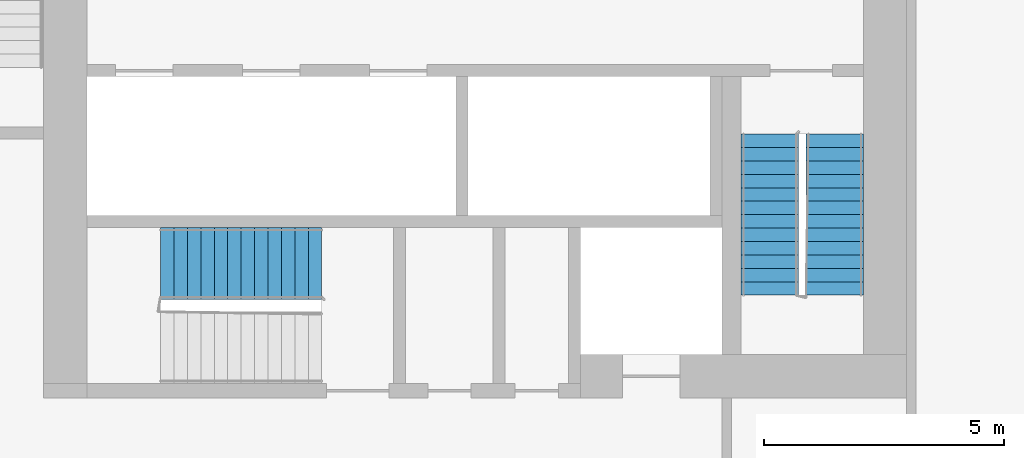
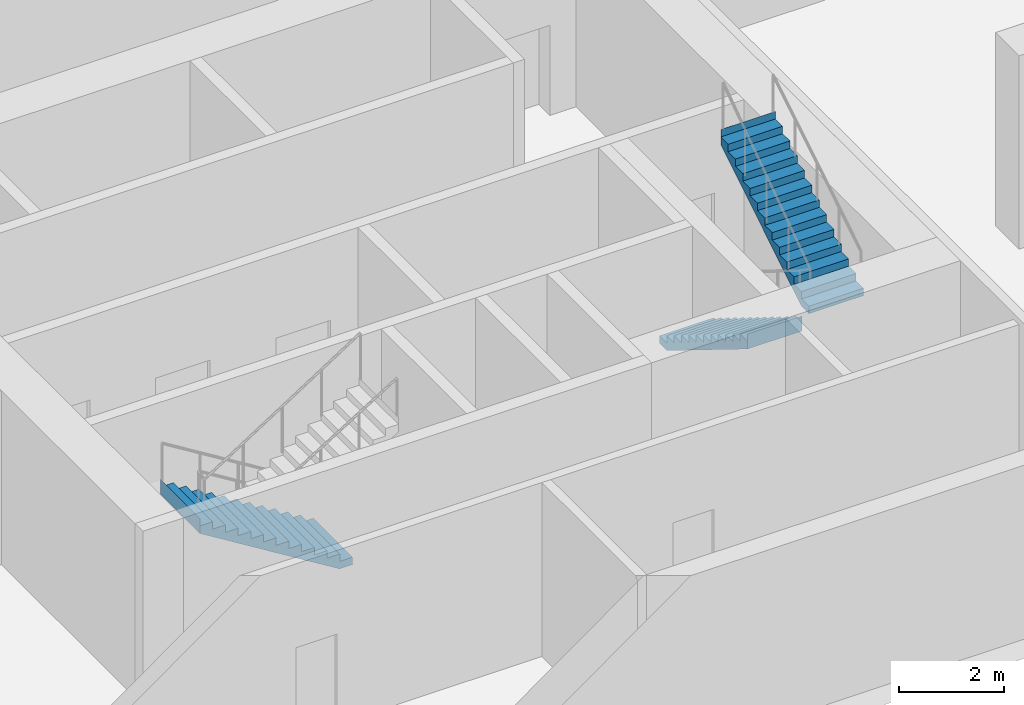
# One storey, part 9 of 15: 3 stair flights, 2 elements without a shape of their own.
"""IFC4 building model written with IfcOpenShell, lengths in metres."""

import ifcopenshell
import ifcopenshell.guid

model = None  # the IFC model being written
_history = None  # IfcOwnerHistory: only IFC2X3 demands one
_inside = {}  # id of a spatial element -> (the spatial element, [elements in it])
_under = {}  # id of a project, library or spatial element -> (it, [spatial elements below it])
_declared = {}  # id of a project -> (the project, [libraries it declares])
_typed = {}  # id of a type object -> (the type object, [elements of that type])
_made_of = {}  # id of a material, layer set ... -> (it, [elements and type objects made of it])


def new_model(schema):
    """Start an empty IFC model of exactly this schema.

    Asked for "IFC4X3", IfcOpenShell would pick the latest addendum, in which some entities
    have other attributes; the version numbers below select the first issue.
    IFC2X3 requires an IfcOwnerHistory on every rooted entity: one is made here for all.
    """
    global model, _history
    if schema == "IFC4X3":
        model = ifcopenshell.file(schema_version=(4, 3, 0, 0))
    else:
        model = ifcopenshell.file(schema=schema)
    _inside.clear()
    _under.clear()
    _declared.clear()
    _typed.clear()
    _made_of.clear()
    _history = None
    if model.schema == "IFC2X3":
        org = make("IfcOrganization", Name="unknown")
        user = make(
            "IfcPersonAndOrganization",
            ThePerson=make("IfcPerson", FamilyName="unknown"),
            TheOrganization=org,
        )
        app = make(
            "IfcApplication",
            ApplicationDeveloper=org,
            Version="unknown",
            ApplicationFullName="unknown",
            ApplicationIdentifier="unknown",
        )
        _history = make(
            "IfcOwnerHistory",
            OwningUser=user,
            OwningApplication=app,
            ChangeAction="ADDED",
            CreationDate=0,
        )
    return model


def make(cls, **values):
    """One entity of the class cls with the attributes given. An attribute that is None is left unset."""
    return model.create_entity(
        cls, **{name: value for name, value in values.items() if value is not None}
    )


def rooted(cls, **values):
    """An entity with a GlobalId (a new one), such as an element, a storey or a relation."""
    return make(cls, GlobalId=ifcopenshell.guid.new(), OwnerHistory=_history, **values)


def si_unit(unit_type, name, prefix=None):
    """IfcSIUnit, for example si_unit("LENGTHUNIT", "METRE", prefix="MILLI")."""
    return make("IfcSIUnit", UnitType=unit_type, Prefix=prefix, Name=name)


def assignment(units):
    """IfcUnitAssignment: the units of a project."""
    return None if units is None else make("IfcUnitAssignment", Units=units)


def point(xyz):
    """IfcCartesianPoint."""
    return None if xyz is None else make("IfcCartesianPoint", Coordinates=xyz)


def direction(xyz):
    """IfcDirection."""
    return None if xyz is None else make("IfcDirection", DirectionRatios=xyz)


def frame(location, z_axis=None, x_axis=None):
    """IfcAxis2Placement3D, a coordinate frame: its origin and axes. An axis left out is left unset."""
    return make(
        "IfcAxis2Placement3D",
        Location=point(location),
        Axis=direction(z_axis),
        RefDirection=direction(x_axis),
    )


def origin():
    """The frame at (0, 0, 0) with its axes left unset."""
    return frame((0.0, 0.0, 0.0))


def place(relative_to, where):
    """IfcLocalPlacement: puts the frame where relative to a parent placement (None: the world)."""
    return make(
        "IfcLocalPlacement", PlacementRelTo=relative_to, RelativePlacement=where
    )


def context(
    kind, dimensions, precision=None, world=None, true_north=None, identifier=None
):
    """IfcGeometricRepresentationContext, for example the 3D "Model" context."""
    return make(
        "IfcGeometricRepresentationContext",
        ContextIdentifier=identifier,
        ContextType=kind,
        CoordinateSpaceDimension=dimensions,
        Precision=precision,
        WorldCoordinateSystem=world,
        TrueNorth=true_north,
    )


def subcontext(parent, identifier, kind, view, scale=None):
    """IfcGeometricRepresentationSubContext, for example "Body" below "Model"."""
    return make(
        "IfcGeometricRepresentationSubContext",
        ContextIdentifier=identifier,
        ContextType=kind,
        ParentContext=parent,
        TargetScale=scale,
        TargetView=view,
    )


def project(units=None, contexts=None):
    """IfcProject with its units and contexts."""
    return rooted(
        "IfcProject",
        Name="project",
        RepresentationContexts=contexts,
        UnitsInContext=assignment(units),
    )


def spatial(cls, under=None, at=None, **own):
    """A site, building, storey or space (cls), placed at a placement, below another one or the project."""
    s = rooted(cls, ObjectPlacement=at, **own)
    if under is not None:
        _under.setdefault(under.id(), (under, []))[1].append(s)
    return s


def faces_of(points, faces, orient=None, outer=None):
    """IfcFace entities. A face is a list of loops; a loop is a list of indices into points, from 0.

    orient and outer hold one flag for each loop. By default every Orientation is true, the
    first loop of a face is its IfcFaceOuterBound and the others are IfcFaceBound.
    """
    made = []
    for i, loops in enumerate(faces):
        bounds = []
        for j, loop in enumerate(loops):
            is_outer = j == 0 if outer is None else outer[i][j]
            bounds.append(
                make(
                    "IfcFaceOuterBound" if is_outer else "IfcFaceBound",
                    Bound=make("IfcPolyLoop", Polygon=[points[k] for k in loop]),
                    Orientation=True if orient is None else orient[i][j],
                )
            )
        made.append(make("IfcFace", Bounds=bounds))
    return made


def faceted_brep(points, faces, orient=None, outer=None, voids=None):
    """IfcFacetedBrep: a solid bounded by flat faces; with voids (closed shells), ...WithVoids."""
    shared = [point(p) for p in points]
    hull = make("IfcClosedShell", CfsFaces=faces_of(shared, faces, orient, outer))
    if voids is None:
        return make("IfcFacetedBrep", Outer=hull)
    return make(
        "IfcFacetedBrepWithVoids",
        Outer=hull,
        Voids=[
            make(cls, CfsFaces=faces_of(shared, fs, o, b)) for cls, fs, o, b in voids
        ],
    )


def shape(context_of_items, identifier, shape_type, items):
    """IfcShapeRepresentation: the items that make up one representation, for example the "Body"."""
    return make(
        "IfcShapeRepresentation",
        ContextOfItems=context_of_items,
        RepresentationIdentifier=identifier,
        RepresentationType=shape_type,
        Items=items,
    )


def material(Name=None, Category=None):
    """IfcMaterial."""
    return make("IfcMaterial", Name=Name, Category=Category)


def made_of(thing, what):
    """Note that an element or type object is made of a material, layer set ...; save() writes the relation."""
    if what is not None:
        _made_of.setdefault(what.id(), (what, []))[1].append(thing)
    return thing


def type_object(cls, material=None, **own):
    """A type object (cls), such as IfcWallType, which elements share."""
    return made_of(rooted(cls, **own), material)


def element(
    cls,
    number,
    at=None,
    inside=None,
    cuts=None,
    type_object=None,
    material=None,
    context=None,
    identifier="Body",
    shape_type=None,
    held_by="IfcProductDefinitionShape",
    body=None,
    shapes=None,
    **own,
):
    """One element of the class cls, such as IfcWall. Its Tag is "e" and its number.

    at: its placement. inside: the storey or other place that contains it. cuts: it is an
    opening in that element (IfcRelVoidsElement). A single representation is given by context,
    identifier, shape_type and body (its items); several are given by shapes. held_by: the class
    of the entity that holds the representations. save() writes the other relations.
    """
    e = rooted(cls, Tag="e%d" % number, ObjectPlacement=at, **own)
    if body is not None:
        shapes = [shape(context, identifier, shape_type, body)]
    if shapes is not None:
        e.Representation = make(held_by, Representations=shapes)
    if inside is not None:
        _inside.setdefault(inside.id(), (inside, []))[1].append(e)
    if cuts is not None:
        rooted(
            "IfcRelVoidsElement", RelatingBuildingElement=cuts, RelatedOpeningElement=e
        )
    if type_object is not None:
        _typed.setdefault(type_object.id(), (type_object, []))[1].append(e)
    return made_of(e, material)


def aggregate(whole, parts):
    """IfcRelAggregates: a whole, such as a stair, and the parts it consists of."""
    return rooted("IfcRelAggregates", RelatingObject=whole, RelatedObjects=parts)


def save(model, path):
    """Write the relations noted so far, then the file.

    IfcRelAggregates (storeys below a building ...), IfcRelContainedInSpatialStructure (elements
    in a storey), IfcRelDefinesByType, IfcRelAssociatesMaterial and IfcRelDeclares: one each for
    every whole, place, type object, material and project.
    """
    for whole, parts in _under.values():
        aggregate(whole, parts)
    for where, things in _inside.values():
        rooted(
            "IfcRelContainedInSpatialStructure",
            RelatedElements=things,
            RelatingStructure=where,
        )
    for kind, things in _typed.values():
        rooted("IfcRelDefinesByType", RelatedObjects=things, RelatingType=kind)
    for what, things in _made_of.values():
        rooted("IfcRelAssociatesMaterial", RelatedObjects=things, RelatingMaterial=what)
    for by, libraries in _declared.values():
        rooted("IfcRelDeclares", RelatingContext=by, RelatedDefinitions=libraries)
    model.write(path)


model = new_model("IFC4")

# Units and contexts
model_context = context("Model", 3, precision=1e-05, world=origin(), true_north=direction((0.0, 1.0)))
body_context = subcontext(model_context, "Body", "Model", "MODEL_VIEW")
ifc_project = project(units=[si_unit("LENGTHUNIT", "METRE"), si_unit("AREAUNIT", "SQUARE_METRE"), si_unit("VOLUMEUNIT", "CUBIC_METRE"), si_unit("PLANEANGLEUNIT", "RADIAN"), si_unit("MASSUNIT", "GRAM", prefix="KILO")], contexts=[model_context])

# Site, building, storey
site_placement = place(None, origin())
site = spatial("IfcSite", under=ifc_project, at=site_placement, CompositionType="ELEMENT")
building_placement = place(site_placement, origin())
building = spatial("IfcBuilding", under=site, at=building_placement, Name="Kajstack Hotel Tower", CompositionType="ELEMENT")
storey_placement = place(building_placement, frame((0.0, 0.0, 29.0)))
storey = spatial("IfcBuildingStorey", under=building, at=storey_placement, Name="L04", CompositionType="ELEMENT", Elevation=29.0)

# Stair, stair flights
ifc_material = material(Name="Concrete C40/50", Category="concrete")
stair_type_1 = type_object("IfcStairType", Name="Exit stair 1200", PredefinedType="HALF_TURN_STAIR", material=ifc_material)
stair_1_placement = place(storey_placement, origin())
stair_1 = element("IfcStair", 1, at=stair_1_placement, inside=storey, type_object=stair_type_1, Name="L04 stair W2", PredefinedType="HALF_TURN_STAIR")
stair_flight_type_1 = type_object("IfcStairFlightType", Name="Exit stair flight 1200", PredefinedType="STRAIGHT", material=ifc_material)
stair_flight_1_placement = place(storey_placement, frame((-16.35009765625, -10.0, 0.0), z_axis=(0.0, 0.0, 1.0), x_axis=(0.0, -1.0, 0.0)))
stair_flight_1 = element("IfcStairFlight", 2, at=stair_flight_1_placement, type_object=stair_flight_type_1, Name="W2 flight 1", NumberOfRisers=13, NumberOfTreads=12, PredefinedType="STRAIGHT", RiserHeight=0.173076923, TreadLength=0.28, context=body_context, shape_type="Brep", body=[
    faceted_brep([(0.28564453125, -0.60009765625, 0.0), (3.360595703125, -0.60009765625, 1.900634765625), (3.360595703125, -0.60009765625, 2.25), (3.360107421875, -0.60009765625, 2.25), (3.360107421875, -0.60009765625, 2.076904296875), (3.080078125, -0.60009765625, 2.076904296875), (3.080078125, -0.60009765625, 1.90380859375), (2.800048828125, -0.60009765625, 1.90380859375), (2.800048828125, -0.60009765625, 1.730712890625), (2.52001953125, -0.60009765625, 1.730712890625), (2.52001953125, -0.60009765625, 1.5576171875), (2.239990234375, -0.60009765625, 1.5576171875), (2.239990234375, -0.60009765625, 1.384521484375), (1.9599609375, -0.60009765625, 1.384521484375), (1.9599609375, -0.60009765625, 1.21142578125), (1.679931640625, -0.60009765625, 1.21142578125), (1.679931640625, -0.60009765625, 1.03857421875), (1.39990234375, -0.60009765625, 1.03857421875), (1.39990234375, -0.60009765625, 0.865478515625), (1.1201171875, -0.60009765625, 0.865478515625), (1.1201171875, -0.60009765625, 0.6923828125), (0.840087890625, -0.60009765625, 0.6923828125), (0.840087890625, -0.60009765625, 0.519287109375), (0.56005859375, -0.60009765625, 0.519287109375), (0.56005859375, -0.60009765625, 0.34619140625), (0.280029296875, -0.60009765625, 0.34619140625), (0.280029296875, -0.60009765625, 0.173095703125), (-0.00048828125, -0.60009765625, 0.173095703125), (-0.00048828125, -0.60009765625, 0.0), (-0.00048828125, 0.60009765625, 0.0), (-0.00048828125, 0.60009765625, 0.173095703125), (0.280029296875, 0.60009765625, 0.173095703125), (0.280029296875, 0.60009765625, 0.34619140625), (0.56005859375, 0.60009765625, 0.34619140625), (0.56005859375, 0.60009765625, 0.519287109375), (0.840087890625, 0.60009765625, 0.519287109375), (0.840087890625, 0.60009765625, 0.6923828125), (1.1201171875, 0.60009765625, 0.6923828125), (1.1201171875, 0.60009765625, 0.865478515625), (1.39990234375, 0.60009765625, 0.865478515625), (1.39990234375, 0.60009765625, 1.03857421875), (1.679931640625, 0.60009765625, 1.03857421875), (1.679931640625, 0.60009765625, 1.21142578125), (1.9599609375, 0.60009765625, 1.21142578125), (1.9599609375, 0.60009765625, 1.384521484375), (2.239990234375, 0.60009765625, 1.384521484375), (2.239990234375, 0.60009765625, 1.5576171875), (2.52001953125, 0.60009765625, 1.5576171875), (2.52001953125, 0.60009765625, 1.730712890625), (2.800048828125, 0.60009765625, 1.730712890625), (2.800048828125, 0.60009765625, 1.90380859375), (3.080078125, 0.60009765625, 1.90380859375), (3.080078125, 0.60009765625, 2.076904296875), (3.360107421875, 0.60009765625, 2.076904296875), (3.360107421875, 0.60009765625, 2.25), (3.360595703125, 0.60009765625, 2.25), (3.360595703125, 0.60009765625, 1.900634765625), (0.28564453125, 0.60009765625, 0.0), (-0.00048828125, -0.300048828125, 0.173095703125), (-0.00048828125, 0.0, 0.173095703125), (-0.00048828125, 0.300048828125, 0.173095703125), (-0.00048828125, 0.300048828125, 0.0), (-0.00048828125, 0.0, 0.0), (-0.00048828125, -0.300048828125, 0.0), (0.280029296875, -0.300048828125, 0.173095703125), (0.280029296875, 0.0, 0.173095703125), (0.280029296875, 0.300048828125, 0.173095703125), (0.280029296875, -0.300048828125, 0.34619140625), (0.280029296875, 0.0, 0.34619140625), (0.280029296875, 0.300048828125, 0.34619140625), (0.56005859375, -0.300048828125, 0.34619140625), (0.56005859375, 0.0, 0.34619140625), (0.56005859375, 0.300048828125, 0.34619140625), (0.56005859375, -0.300048828125, 0.519287109375), (0.56005859375, 0.0, 0.519287109375), (0.56005859375, 0.300048828125, 0.519287109375), (0.840087890625, -0.300048828125, 0.519287109375), (0.840087890625, 0.0, 0.519287109375), (0.840087890625, 0.300048828125, 0.519287109375), (0.840087890625, -0.300048828125, 0.6923828125), (0.840087890625, 0.0, 0.6923828125), (0.840087890625, 0.300048828125, 0.6923828125), (1.1201171875, -0.300048828125, 0.6923828125), (1.1201171875, 0.0, 0.6923828125), (1.1201171875, 0.300048828125, 0.6923828125), (1.1201171875, -0.300048828125, 0.865478515625), (1.1201171875, 0.0, 0.865478515625), (1.1201171875, 0.300048828125, 0.865478515625), (1.39990234375, -0.300048828125, 0.865478515625), (1.39990234375, 0.0, 0.865478515625), (1.39990234375, 0.300048828125, 0.865478515625), (1.39990234375, -0.300048828125, 1.03857421875), (1.39990234375, 0.0, 1.03857421875), (1.39990234375, 0.300048828125, 1.03857421875), (1.679931640625, -0.300048828125, 1.03857421875), (1.679931640625, 0.0, 1.03857421875), (1.679931640625, 0.300048828125, 1.03857421875), (1.679931640625, -0.300048828125, 1.21142578125), (1.679931640625, 0.0, 1.21142578125), (1.679931640625, 0.300048828125, 1.21142578125), (1.9599609375, -0.300048828125, 1.21142578125), (1.9599609375, 0.0, 1.21142578125), (1.9599609375, 0.300048828125, 1.21142578125), (1.9599609375, -0.300048828125, 1.384521484375), (1.9599609375, 0.0, 1.384521484375), (1.9599609375, 0.300048828125, 1.384521484375), (2.239990234375, -0.300048828125, 1.384521484375), (2.239990234375, 0.0, 1.384521484375), (2.239990234375, 0.300048828125, 1.384521484375), (2.239990234375, -0.300048828125, 1.5576171875), (2.239990234375, 0.0, 1.5576171875), (2.239990234375, 0.300048828125, 1.5576171875), (2.52001953125, -0.300048828125, 1.5576171875), (2.52001953125, 0.0, 1.5576171875), (2.52001953125, 0.300048828125, 1.5576171875), (2.52001953125, -0.300048828125, 1.730712890625), (2.52001953125, 0.0, 1.730712890625), (2.52001953125, 0.300048828125, 1.730712890625), (2.800048828125, -0.300048828125, 1.730712890625), (2.800048828125, 0.0, 1.730712890625), (2.800048828125, 0.300048828125, 1.730712890625), (2.800048828125, -0.300048828125, 1.90380859375), (2.800048828125, 0.0, 1.90380859375), (2.800048828125, 0.300048828125, 1.90380859375), (3.080078125, -0.300048828125, 1.90380859375), (3.080078125, 0.0, 1.90380859375), (3.080078125, 0.300048828125, 1.90380859375), (3.080078125, -0.300048828125, 2.076904296875), (3.080078125, 0.0, 2.076904296875), (3.080078125, 0.300048828125, 2.076904296875), (3.360107421875, -0.300048828125, 2.076904296875), (3.360107421875, 0.0, 2.076904296875), (3.360107421875, 0.300048828125, 2.076904296875), (3.360107421875, -0.300048828125, 2.25), (3.360107421875, 0.0, 2.25), (3.360107421875, 0.300048828125, 2.25), (3.360595703125, -0.300048828125, 2.25), (3.360595703125, 0.0, 2.25), (3.360595703125, 0.300048828125, 2.25), (3.360595703125, -0.300048828125, 1.900634765625), (3.360595703125, 0.0, 1.900634765625), (3.360595703125, 0.300048828125, 1.900634765625), (0.28564453125, -0.300048828125, 0.0), (0.28564453125, 0.0, 0.0), (0.28564453125, 0.300048828125, 0.0)], [[[0, 1, 2, 3, 4, 5, 6, 7, 8, 9, 10, 11, 12, 13, 14, 15, 16, 17, 18, 19, 20, 21, 22, 23, 24, 25, 26, 27, 28]], [[29, 30, 31, 32, 33, 34, 35, 36, 37, 38, 39, 40, 41, 42, 43, 44, 45, 46, 47, 48, 49, 50, 51, 52, 53, 54, 55, 56, 57]], [[27, 58, 59, 60, 30, 29, 61, 62, 63, 28]], [[26, 64, 65, 66, 31, 30, 60, 59, 58, 27]], [[25, 67, 68, 69, 32, 31, 66, 65, 64, 26]], [[24, 70, 71, 72, 33, 32, 69, 68, 67, 25]], [[23, 73, 74, 75, 34, 33, 72, 71, 70, 24]], [[22, 76, 77, 78, 35, 34, 75, 74, 73, 23]], [[21, 79, 80, 81, 36, 35, 78, 77, 76, 22]], [[20, 82, 83, 84, 37, 36, 81, 80, 79, 21]], [[19, 85, 86, 87, 38, 37, 84, 83, 82, 20]], [[18, 88, 89, 90, 39, 38, 87, 86, 85, 19]], [[17, 91, 92, 93, 40, 39, 90, 89, 88, 18]], [[16, 94, 95, 96, 41, 40, 93, 92, 91, 17]], [[15, 97, 98, 99, 42, 41, 96, 95, 94, 16]], [[14, 100, 101, 102, 43, 42, 99, 98, 97, 15]], [[13, 103, 104, 105, 44, 43, 102, 101, 100, 14]], [[12, 106, 107, 108, 45, 44, 105, 104, 103, 13]], [[11, 109, 110, 111, 46, 45, 108, 107, 106, 12]], [[10, 112, 113, 114, 47, 46, 111, 110, 109, 11]], [[9, 115, 116, 117, 48, 47, 114, 113, 112, 10]], [[8, 118, 119, 120, 49, 48, 117, 116, 115, 9]], [[7, 121, 122, 123, 50, 49, 120, 119, 118, 8]], [[6, 124, 125, 126, 51, 50, 123, 122, 121, 7]], [[5, 127, 128, 129, 52, 51, 126, 125, 124, 6]], [[4, 130, 131, 132, 53, 52, 129, 128, 127, 5]], [[3, 133, 134, 135, 54, 53, 132, 131, 130, 4]], [[2, 136, 137, 138, 55, 54, 135, 134, 133, 3]], [[1, 139, 140, 141, 56, 55, 138, 137, 136, 2]], [[0, 142, 143, 144, 57, 56, 141, 140, 139, 1]], [[28, 63, 62, 61, 29, 57, 144, 143, 142, 0]]]),
])
stair_flight_2_placement = place(storey_placement, frame((-15.0, -13.360107421875, 2.25), z_axis=(0.0, 0.0, 1.0), x_axis=(0.0, 1.0, 0.0)))
stair_flight_2 = element("IfcStairFlight", 3, at=stair_flight_2_placement, type_object=stair_flight_type_1, Name="W2 flight 2", NumberOfRisers=13, NumberOfTreads=12, PredefinedType="STRAIGHT", RiserHeight=0.173076923, TreadLength=0.28, context=body_context, shape_type="Brep", body=[
    faceted_brep([(0.28564453125, -0.60009765625, 0.0), (3.360595703125, -0.60009765625, 1.900634765625), (3.360595703125, -0.60009765625, 2.25), (3.360107421875, -0.60009765625, 2.25), (3.360107421875, -0.60009765625, 2.076904296875), (3.080078125, -0.60009765625, 2.076904296875), (3.080078125, -0.60009765625, 1.90380859375), (2.800048828125, -0.60009765625, 1.90380859375), (2.800048828125, -0.60009765625, 1.730712890625), (2.52001953125, -0.60009765625, 1.730712890625), (2.52001953125, -0.60009765625, 1.5576171875), (2.239990234375, -0.60009765625, 1.5576171875), (2.239990234375, -0.60009765625, 1.384521484375), (1.9599609375, -0.60009765625, 1.384521484375), (1.9599609375, -0.60009765625, 1.21142578125), (1.679931640625, -0.60009765625, 1.21142578125), (1.679931640625, -0.60009765625, 1.03857421875), (1.39990234375, -0.60009765625, 1.03857421875), (1.39990234375, -0.60009765625, 0.865478515625), (1.1201171875, -0.60009765625, 0.865478515625), (1.1201171875, -0.60009765625, 0.6923828125), (0.840087890625, -0.60009765625, 0.6923828125), (0.840087890625, -0.60009765625, 0.519287109375), (0.56005859375, -0.60009765625, 0.519287109375), (0.56005859375, -0.60009765625, 0.34619140625), (0.280029296875, -0.60009765625, 0.34619140625), (0.280029296875, -0.60009765625, 0.173095703125), (-0.00048828125, -0.60009765625, 0.173095703125), (-0.00048828125, -0.60009765625, 0.0), (-0.00048828125, 0.60009765625, 0.0), (-0.00048828125, 0.60009765625, 0.173095703125), (0.280029296875, 0.60009765625, 0.173095703125), (0.280029296875, 0.60009765625, 0.34619140625), (0.56005859375, 0.60009765625, 0.34619140625), (0.56005859375, 0.60009765625, 0.519287109375), (0.840087890625, 0.60009765625, 0.519287109375), (0.840087890625, 0.60009765625, 0.6923828125), (1.1201171875, 0.60009765625, 0.6923828125), (1.1201171875, 0.60009765625, 0.865478515625), (1.39990234375, 0.60009765625, 0.865478515625), (1.39990234375, 0.60009765625, 1.03857421875), (1.679931640625, 0.60009765625, 1.03857421875), (1.679931640625, 0.60009765625, 1.21142578125), (1.9599609375, 0.60009765625, 1.21142578125), (1.9599609375, 0.60009765625, 1.384521484375), (2.239990234375, 0.60009765625, 1.384521484375), (2.239990234375, 0.60009765625, 1.5576171875), (2.52001953125, 0.60009765625, 1.5576171875), (2.52001953125, 0.60009765625, 1.730712890625), (2.800048828125, 0.60009765625, 1.730712890625), (2.800048828125, 0.60009765625, 1.90380859375), (3.080078125, 0.60009765625, 1.90380859375), (3.080078125, 0.60009765625, 2.076904296875), (3.360107421875, 0.60009765625, 2.076904296875), (3.360107421875, 0.60009765625, 2.25), (3.360595703125, 0.60009765625, 2.25), (3.360595703125, 0.60009765625, 1.900634765625), (0.28564453125, 0.60009765625, 0.0), (-0.00048828125, -0.300048828125, 0.173095703125), (-0.00048828125, 0.0, 0.173095703125), (-0.00048828125, 0.300048828125, 0.173095703125), (-0.00048828125, 0.300048828125, 0.0), (-0.00048828125, 0.0, 0.0), (-0.00048828125, -0.300048828125, 0.0), (0.280029296875, -0.300048828125, 0.173095703125), (0.280029296875, 0.0, 0.173095703125), (0.280029296875, 0.300048828125, 0.173095703125), (0.280029296875, -0.300048828125, 0.34619140625), (0.280029296875, 0.0, 0.34619140625), (0.280029296875, 0.300048828125, 0.34619140625), (0.56005859375, -0.300048828125, 0.34619140625), (0.56005859375, 0.0, 0.34619140625), (0.56005859375, 0.300048828125, 0.34619140625), (0.56005859375, -0.300048828125, 0.519287109375), (0.56005859375, 0.0, 0.519287109375), (0.56005859375, 0.300048828125, 0.519287109375), (0.840087890625, -0.300048828125, 0.519287109375), (0.840087890625, 0.0, 0.519287109375), (0.840087890625, 0.300048828125, 0.519287109375), (0.840087890625, -0.300048828125, 0.6923828125), (0.840087890625, 0.0, 0.6923828125), (0.840087890625, 0.300048828125, 0.6923828125), (1.1201171875, -0.300048828125, 0.6923828125), (1.1201171875, 0.0, 0.6923828125), (1.1201171875, 0.300048828125, 0.6923828125), (1.1201171875, -0.300048828125, 0.865478515625), (1.1201171875, 0.0, 0.865478515625), (1.1201171875, 0.300048828125, 0.865478515625), (1.39990234375, -0.300048828125, 0.865478515625), (1.39990234375, 0.0, 0.865478515625), (1.39990234375, 0.300048828125, 0.865478515625), (1.39990234375, -0.300048828125, 1.03857421875), (1.39990234375, 0.0, 1.03857421875), (1.39990234375, 0.300048828125, 1.03857421875), (1.679931640625, -0.300048828125, 1.03857421875), (1.679931640625, 0.0, 1.03857421875), (1.679931640625, 0.300048828125, 1.03857421875), (1.679931640625, -0.300048828125, 1.21142578125), (1.679931640625, 0.0, 1.21142578125), (1.679931640625, 0.300048828125, 1.21142578125), (1.9599609375, -0.300048828125, 1.21142578125), (1.9599609375, 0.0, 1.21142578125), (1.9599609375, 0.300048828125, 1.21142578125), (1.9599609375, -0.300048828125, 1.384521484375), (1.9599609375, 0.0, 1.384521484375), (1.9599609375, 0.300048828125, 1.384521484375), (2.239990234375, -0.300048828125, 1.384521484375), (2.239990234375, 0.0, 1.384521484375), (2.239990234375, 0.300048828125, 1.384521484375), (2.239990234375, -0.300048828125, 1.5576171875), (2.239990234375, 0.0, 1.5576171875), (2.239990234375, 0.300048828125, 1.5576171875), (2.52001953125, -0.300048828125, 1.5576171875), (2.52001953125, 0.0, 1.5576171875), (2.52001953125, 0.300048828125, 1.5576171875), (2.52001953125, -0.300048828125, 1.730712890625), (2.52001953125, 0.0, 1.730712890625), (2.52001953125, 0.300048828125, 1.730712890625), (2.800048828125, -0.300048828125, 1.730712890625), (2.800048828125, 0.0, 1.730712890625), (2.800048828125, 0.300048828125, 1.730712890625), (2.800048828125, -0.300048828125, 1.90380859375), (2.800048828125, 0.0, 1.90380859375), (2.800048828125, 0.300048828125, 1.90380859375), (3.080078125, -0.300048828125, 1.90380859375), (3.080078125, 0.0, 1.90380859375), (3.080078125, 0.300048828125, 1.90380859375), (3.080078125, -0.300048828125, 2.076904296875), (3.080078125, 0.0, 2.076904296875), (3.080078125, 0.300048828125, 2.076904296875), (3.360107421875, -0.300048828125, 2.076904296875), (3.360107421875, 0.0, 2.076904296875), (3.360107421875, 0.300048828125, 2.076904296875), (3.360107421875, -0.300048828125, 2.25), (3.360107421875, 0.0, 2.25), (3.360107421875, 0.300048828125, 2.25), (3.360595703125, -0.300048828125, 2.25), (3.360595703125, 0.0, 2.25), (3.360595703125, 0.300048828125, 2.25), (3.360595703125, -0.300048828125, 1.900634765625), (3.360595703125, 0.0, 1.900634765625), (3.360595703125, 0.300048828125, 1.900634765625), (0.28564453125, -0.300048828125, 0.0), (0.28564453125, 0.0, 0.0), (0.28564453125, 0.300048828125, 0.0)], [[[0, 1, 2, 3, 4, 5, 6, 7, 8, 9, 10, 11, 12, 13, 14, 15, 16, 17, 18, 19, 20, 21, 22, 23, 24, 25, 26, 27, 28]], [[29, 30, 31, 32, 33, 34, 35, 36, 37, 38, 39, 40, 41, 42, 43, 44, 45, 46, 47, 48, 49, 50, 51, 52, 53, 54, 55, 56, 57]], [[27, 58, 59, 60, 30, 29, 61, 62, 63, 28]], [[26, 64, 65, 66, 31, 30, 60, 59, 58, 27]], [[25, 67, 68, 69, 32, 31, 66, 65, 64, 26]], [[24, 70, 71, 72, 33, 32, 69, 68, 67, 25]], [[23, 73, 74, 75, 34, 33, 72, 71, 70, 24]], [[22, 76, 77, 78, 35, 34, 75, 74, 73, 23]], [[21, 79, 80, 81, 36, 35, 78, 77, 76, 22]], [[20, 82, 83, 84, 37, 36, 81, 80, 79, 21]], [[19, 85, 86, 87, 38, 37, 84, 83, 82, 20]], [[18, 88, 89, 90, 39, 38, 87, 86, 85, 19]], [[17, 91, 92, 93, 40, 39, 90, 89, 88, 18]], [[16, 94, 95, 96, 41, 40, 93, 92, 91, 17]], [[15, 97, 98, 99, 42, 41, 96, 95, 94, 16]], [[14, 100, 101, 102, 43, 42, 99, 98, 97, 15]], [[13, 103, 104, 105, 44, 43, 102, 101, 100, 14]], [[12, 106, 107, 108, 45, 44, 105, 104, 103, 13]], [[11, 109, 110, 111, 46, 45, 108, 107, 106, 12]], [[10, 112, 113, 114, 47, 46, 111, 110, 109, 11]], [[9, 115, 116, 117, 48, 47, 114, 113, 112, 10]], [[8, 118, 119, 120, 49, 48, 117, 116, 115, 9]], [[7, 121, 122, 123, 50, 49, 120, 119, 118, 8]], [[6, 124, 125, 126, 51, 50, 123, 122, 121, 7]], [[5, 127, 128, 129, 52, 51, 126, 125, 124, 6]], [[4, 130, 131, 132, 53, 52, 129, 128, 127, 5]], [[3, 133, 134, 135, 54, 53, 132, 131, 130, 4]], [[2, 136, 137, 138, 55, 54, 135, 134, 133, 3]], [[1, 139, 140, 141, 56, 55, 138, 137, 136, 2]], [[0, 142, 143, 144, 57, 56, 141, 140, 139, 1]], [[28, 63, 62, 61, 29, 57, 144, 143, 142, 0]]]),
])
aggregate(stair_1, [stair_flight_1, stair_flight_2])

# Stair, stair flight
stair_type_2 = type_object("IfcStairType", Name="Exit stair 1500", PredefinedType="HALF_TURN_STAIR", material=ifc_material)
stair_2_placement = place(storey_placement, origin())
stair_2 = element("IfcStair", 4, at=stair_2_placement, inside=storey, type_object=stair_type_2, Name="L04 stair W3", PredefinedType="HALF_TURN_STAIR")
stair_flight_type_2 = type_object("IfcStairFlightType", Name="Exit stair flight 1500", PredefinedType="STRAIGHT", material=ifc_material)
stair_flight_3_placement = place(storey_placement, frame((-25.699951171875, -12.699951171875, 0.0), z_axis=(0.0, 0.0, 1.0), x_axis=(-1.0, 0.0, 0.0)))
stair_flight_3 = element("IfcStairFlight", 5, at=stair_flight_3_placement, type_object=stair_flight_type_2, Name="W3 flight 1", NumberOfRisers=13, NumberOfTreads=12, PredefinedType="STRAIGHT", RiserHeight=0.173076923, TreadLength=0.28, context=body_context, shape_type="Brep", body=[
    faceted_brep([(0.28564453125, -0.75, 0.0), (3.360595703125, -0.75, 1.900634765625), (3.360595703125, -0.75, 2.25), (3.360107421875, -0.75, 2.25), (3.360107421875, -0.75, 2.076904296875), (3.080078125, -0.75, 2.076904296875), (3.080078125, -0.75, 1.90380859375), (2.800048828125, -0.75, 1.90380859375), (2.800048828125, -0.75, 1.730712890625), (2.52001953125, -0.75, 1.730712890625), (2.52001953125, -0.75, 1.5576171875), (2.239990234375, -0.75, 1.5576171875), (2.239990234375, -0.75, 1.384521484375), (1.9599609375, -0.75, 1.384521484375), (1.9599609375, -0.75, 1.21142578125), (1.679931640625, -0.75, 1.21142578125), (1.679931640625, -0.75, 1.03857421875), (1.39990234375, -0.75, 1.03857421875), (1.39990234375, -0.75, 0.865478515625), (1.1201171875, -0.75, 0.865478515625), (1.1201171875, -0.75, 0.6923828125), (0.840087890625, -0.75, 0.6923828125), (0.840087890625, -0.75, 0.519287109375), (0.56005859375, -0.75, 0.519287109375), (0.56005859375, -0.75, 0.34619140625), (0.280029296875, -0.75, 0.34619140625), (0.280029296875, -0.75, 0.173095703125), (-0.00048828125, -0.75, 0.173095703125), (-0.00048828125, -0.75, 0.0), (-0.00048828125, 0.75, 0.0), (-0.00048828125, 0.75, 0.173095703125), (0.280029296875, 0.75, 0.173095703125), (0.280029296875, 0.75, 0.34619140625), (0.56005859375, 0.75, 0.34619140625), (0.56005859375, 0.75, 0.519287109375), (0.840087890625, 0.75, 0.519287109375), (0.840087890625, 0.75, 0.6923828125), (1.1201171875, 0.75, 0.6923828125), (1.1201171875, 0.75, 0.865478515625), (1.39990234375, 0.75, 0.865478515625), (1.39990234375, 0.75, 1.03857421875), (1.679931640625, 0.75, 1.03857421875), (1.679931640625, 0.75, 1.21142578125), (1.9599609375, 0.75, 1.21142578125), (1.9599609375, 0.75, 1.384521484375), (2.239990234375, 0.75, 1.384521484375), (2.239990234375, 0.75, 1.5576171875), (2.52001953125, 0.75, 1.5576171875), (2.52001953125, 0.75, 1.730712890625), (2.800048828125, 0.75, 1.730712890625), (2.800048828125, 0.75, 1.90380859375), (3.080078125, 0.75, 1.90380859375), (3.080078125, 0.75, 2.076904296875), (3.360107421875, 0.75, 2.076904296875), (3.360107421875, 0.75, 2.25), (3.360595703125, 0.75, 2.25), (3.360595703125, 0.75, 1.900634765625), (0.28564453125, 0.75, 0.0), (-0.00048828125, -0.375, 0.173095703125), (-0.00048828125, 0.0, 0.173095703125), (-0.00048828125, 0.375, 0.173095703125), (-0.00048828125, 0.375, 0.0), (-0.00048828125, 0.0, 0.0), (-0.00048828125, -0.375, 0.0), (0.280029296875, -0.375, 0.173095703125), (0.280029296875, 0.0, 0.173095703125), (0.280029296875, 0.375, 0.173095703125), (0.280029296875, -0.375, 0.34619140625), (0.280029296875, 0.0, 0.34619140625), (0.280029296875, 0.375, 0.34619140625), (0.56005859375, -0.375, 0.34619140625), (0.56005859375, 0.0, 0.34619140625), (0.56005859375, 0.375, 0.34619140625), (0.56005859375, -0.375, 0.519287109375), (0.56005859375, 0.0, 0.519287109375), (0.56005859375, 0.375, 0.519287109375), (0.840087890625, -0.375, 0.519287109375), (0.840087890625, 0.0, 0.519287109375), (0.840087890625, 0.375, 0.519287109375), (0.840087890625, -0.375, 0.6923828125), (0.840087890625, 0.0, 0.6923828125), (0.840087890625, 0.375, 0.6923828125), (1.1201171875, -0.375, 0.6923828125), (1.1201171875, 0.0, 0.6923828125), (1.1201171875, 0.375, 0.6923828125), (1.1201171875, -0.375, 0.865478515625), (1.1201171875, 0.0, 0.865478515625), (1.1201171875, 0.375, 0.865478515625), (1.39990234375, -0.375, 0.865478515625), (1.39990234375, 0.0, 0.865478515625), (1.39990234375, 0.375, 0.865478515625), (1.39990234375, -0.375, 1.03857421875), (1.39990234375, 0.0, 1.03857421875), (1.39990234375, 0.375, 1.03857421875), (1.679931640625, -0.375, 1.03857421875), (1.679931640625, 0.0, 1.03857421875), (1.679931640625, 0.375, 1.03857421875), (1.679931640625, -0.375, 1.21142578125), (1.679931640625, 0.0, 1.21142578125), (1.679931640625, 0.375, 1.21142578125), (1.9599609375, -0.375, 1.21142578125), (1.9599609375, 0.0, 1.21142578125), (1.9599609375, 0.375, 1.21142578125), (1.9599609375, -0.375, 1.384521484375), (1.9599609375, 0.0, 1.384521484375), (1.9599609375, 0.375, 1.384521484375), (2.239990234375, -0.375, 1.384521484375), (2.239990234375, 0.0, 1.384521484375), (2.239990234375, 0.375, 1.384521484375), (2.239990234375, -0.375, 1.5576171875), (2.239990234375, 0.0, 1.5576171875), (2.239990234375, 0.375, 1.5576171875), (2.52001953125, -0.375, 1.5576171875), (2.52001953125, 0.0, 1.5576171875), (2.52001953125, 0.375, 1.5576171875), (2.52001953125, -0.375, 1.730712890625), (2.52001953125, 0.0, 1.730712890625), (2.52001953125, 0.375, 1.730712890625), (2.800048828125, -0.375, 1.730712890625), (2.800048828125, 0.0, 1.730712890625), (2.800048828125, 0.375, 1.730712890625), (2.800048828125, -0.375, 1.90380859375), (2.800048828125, 0.0, 1.90380859375), (2.800048828125, 0.375, 1.90380859375), (3.080078125, -0.375, 1.90380859375), (3.080078125, 0.0, 1.90380859375), (3.080078125, 0.375, 1.90380859375), (3.080078125, -0.375, 2.076904296875), (3.080078125, 0.0, 2.076904296875), (3.080078125, 0.375, 2.076904296875), (3.360107421875, -0.375, 2.076904296875), (3.360107421875, 0.0, 2.076904296875), (3.360107421875, 0.375, 2.076904296875), (3.360107421875, -0.375, 2.25), (3.360107421875, 0.0, 2.25), (3.360107421875, 0.375, 2.25), (3.360595703125, -0.375, 2.25), (3.360595703125, 0.0, 2.25), (3.360595703125, 0.375, 2.25), (3.360595703125, -0.375, 1.900634765625), (3.360595703125, 0.0, 1.900634765625), (3.360595703125, 0.375, 1.900634765625), (0.28564453125, -0.375, 0.0), (0.28564453125, 0.0, 0.0), (0.28564453125, 0.375, 0.0)], [[[0, 1, 2, 3, 4, 5, 6, 7, 8, 9, 10, 11, 12, 13, 14, 15, 16, 17, 18, 19, 20, 21, 22, 23, 24, 25, 26, 27, 28]], [[29, 30, 31, 32, 33, 34, 35, 36, 37, 38, 39, 40, 41, 42, 43, 44, 45, 46, 47, 48, 49, 50, 51, 52, 53, 54, 55, 56, 57]], [[27, 58, 59, 60, 30, 29, 61, 62, 63, 28]], [[26, 64, 65, 66, 31, 30, 60, 59, 58, 27]], [[25, 67, 68, 69, 32, 31, 66, 65, 64, 26]], [[24, 70, 71, 72, 33, 32, 69, 68, 67, 25]], [[23, 73, 74, 75, 34, 33, 72, 71, 70, 24]], [[22, 76, 77, 78, 35, 34, 75, 74, 73, 23]], [[21, 79, 80, 81, 36, 35, 78, 77, 76, 22]], [[20, 82, 83, 84, 37, 36, 81, 80, 79, 21]], [[19, 85, 86, 87, 38, 37, 84, 83, 82, 20]], [[18, 88, 89, 90, 39, 38, 87, 86, 85, 19]], [[17, 91, 92, 93, 40, 39, 90, 89, 88, 18]], [[16, 94, 95, 96, 41, 40, 93, 92, 91, 17]], [[15, 97, 98, 99, 42, 41, 96, 95, 94, 16]], [[14, 100, 101, 102, 43, 42, 99, 98, 97, 15]], [[13, 103, 104, 105, 44, 43, 102, 101, 100, 14]], [[12, 106, 107, 108, 45, 44, 105, 104, 103, 13]], [[11, 109, 110, 111, 46, 45, 108, 107, 106, 12]], [[10, 112, 113, 114, 47, 46, 111, 110, 109, 11]], [[9, 115, 116, 117, 48, 47, 114, 113, 112, 10]], [[8, 118, 119, 120, 49, 48, 117, 116, 115, 9]], [[7, 121, 122, 123, 50, 49, 120, 119, 118, 8]], [[6, 124, 125, 126, 51, 50, 123, 122, 121, 7]], [[5, 127, 128, 129, 52, 51, 126, 125, 124, 6]], [[4, 130, 131, 132, 53, 52, 129, 128, 127, 5]], [[3, 133, 134, 135, 54, 53, 132, 131, 130, 4]], [[2, 136, 137, 138, 55, 54, 135, 134, 133, 3]], [[1, 139, 140, 141, 56, 55, 138, 137, 136, 2]], [[0, 142, 143, 144, 57, 56, 141, 140, 139, 1]], [[28, 63, 62, 61, 29, 57, 144, 143, 142, 0]]]),
])
aggregate(stair_2, [stair_flight_3])

save(model, "model.ifc")
